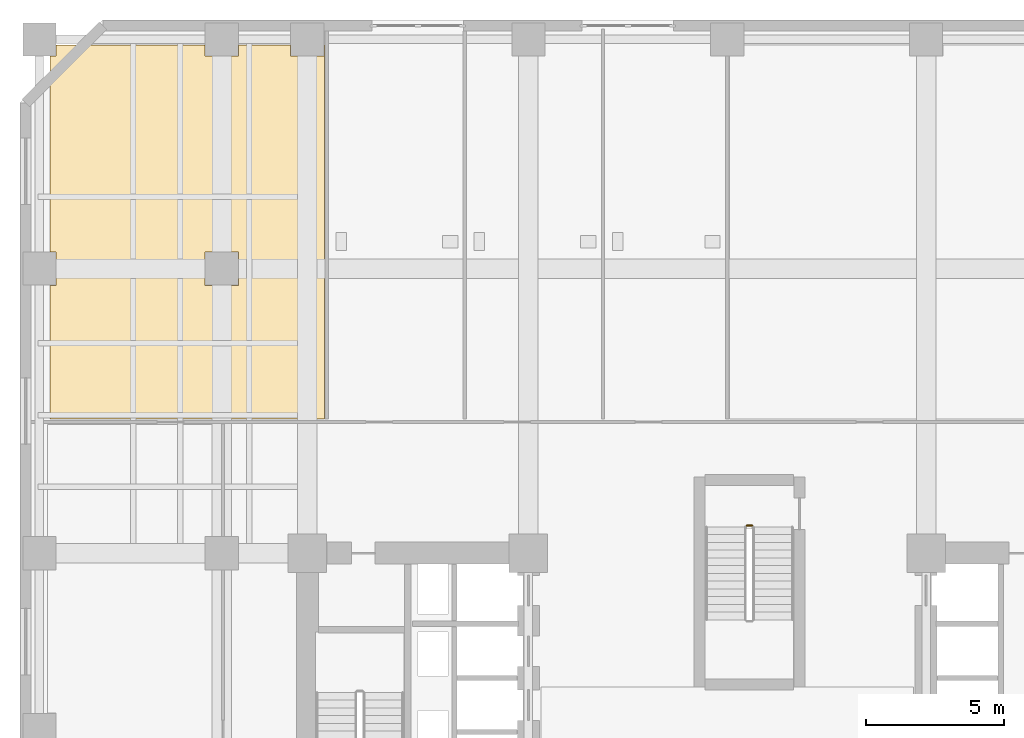
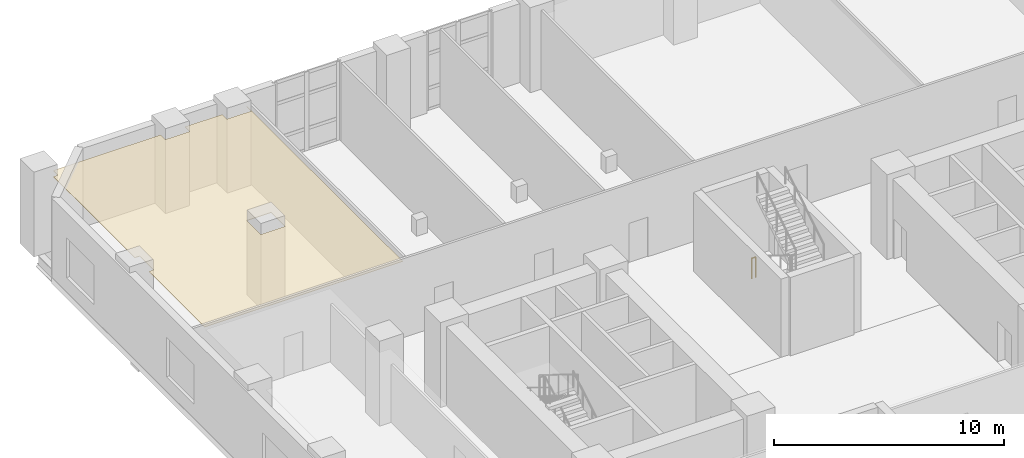
# One storey, part 13 of 15: 1 covering, 1 railing.
"""IFC4 building model written with IfcOpenShell, lengths in metres."""

import ifcopenshell
import ifcopenshell.guid

model = None  # the IFC model being written
_history = None  # IfcOwnerHistory: only IFC2X3 demands one
_inside = {}  # id of a spatial element -> (the spatial element, [elements in it])
_under = {}  # id of a project, library or spatial element -> (it, [spatial elements below it])
_declared = {}  # id of a project -> (the project, [libraries it declares])
_typed = {}  # id of a type object -> (the type object, [elements of that type])
_made_of = {}  # id of a material, layer set ... -> (it, [elements and type objects made of it])


def new_model(schema):
    """Start an empty IFC model of exactly this schema.

    Asked for "IFC4X3", IfcOpenShell would pick the latest addendum, in which some entities
    have other attributes; the version numbers below select the first issue.
    IFC2X3 requires an IfcOwnerHistory on every rooted entity: one is made here for all.
    """
    global model, _history
    if schema == "IFC4X3":
        model = ifcopenshell.file(schema_version=(4, 3, 0, 0))
    else:
        model = ifcopenshell.file(schema=schema)
    _inside.clear()
    _under.clear()
    _declared.clear()
    _typed.clear()
    _made_of.clear()
    _history = None
    if model.schema == "IFC2X3":
        org = make("IfcOrganization", Name="unknown")
        user = make(
            "IfcPersonAndOrganization",
            ThePerson=make("IfcPerson", FamilyName="unknown"),
            TheOrganization=org,
        )
        app = make(
            "IfcApplication",
            ApplicationDeveloper=org,
            Version="unknown",
            ApplicationFullName="unknown",
            ApplicationIdentifier="unknown",
        )
        _history = make(
            "IfcOwnerHistory",
            OwningUser=user,
            OwningApplication=app,
            ChangeAction="ADDED",
            CreationDate=0,
        )
    return model


def make(cls, **values):
    """One entity of the class cls with the attributes given. An attribute that is None is left unset."""
    return model.create_entity(
        cls, **{name: value for name, value in values.items() if value is not None}
    )


def rooted(cls, **values):
    """An entity with a GlobalId (a new one), such as an element, a storey or a relation."""
    return make(cls, GlobalId=ifcopenshell.guid.new(), OwnerHistory=_history, **values)


def si_unit(unit_type, name, prefix=None):
    """IfcSIUnit, for example si_unit("LENGTHUNIT", "METRE", prefix="MILLI")."""
    return make("IfcSIUnit", UnitType=unit_type, Prefix=prefix, Name=name)


def assignment(units):
    """IfcUnitAssignment: the units of a project."""
    return None if units is None else make("IfcUnitAssignment", Units=units)


def point(xyz):
    """IfcCartesianPoint."""
    return None if xyz is None else make("IfcCartesianPoint", Coordinates=xyz)


def direction(xyz):
    """IfcDirection."""
    return None if xyz is None else make("IfcDirection", DirectionRatios=xyz)


def frame(location, z_axis=None, x_axis=None):
    """IfcAxis2Placement3D, a coordinate frame: its origin and axes. An axis left out is left unset."""
    return make(
        "IfcAxis2Placement3D",
        Location=point(location),
        Axis=direction(z_axis),
        RefDirection=direction(x_axis),
    )


def frame_2d(location, x_axis=None):
    """IfcAxis2Placement2D, a coordinate frame in the plane: its origin and x axis."""
    return make(
        "IfcAxis2Placement2D", Location=point(location), RefDirection=direction(x_axis)
    )


def origin():
    """The frame at (0, 0, 0) with its axes left unset."""
    return frame((0.0, 0.0, 0.0))


def origin_2d():
    """The frame at (0, 0) in the plane with its x axis left unset."""
    return frame_2d((0.0, 0.0))


def place(relative_to, where):
    """IfcLocalPlacement: puts the frame where relative to a parent placement (None: the world)."""
    return make(
        "IfcLocalPlacement", PlacementRelTo=relative_to, RelativePlacement=where
    )


def context(
    kind, dimensions, precision=None, world=None, true_north=None, identifier=None
):
    """IfcGeometricRepresentationContext, for example the 3D "Model" context."""
    return make(
        "IfcGeometricRepresentationContext",
        ContextIdentifier=identifier,
        ContextType=kind,
        CoordinateSpaceDimension=dimensions,
        Precision=precision,
        WorldCoordinateSystem=world,
        TrueNorth=true_north,
    )


def subcontext(parent, identifier, kind, view, scale=None):
    """IfcGeometricRepresentationSubContext, for example "Body" below "Model"."""
    return make(
        "IfcGeometricRepresentationSubContext",
        ContextIdentifier=identifier,
        ContextType=kind,
        ParentContext=parent,
        TargetScale=scale,
        TargetView=view,
    )


def project(units=None, contexts=None):
    """IfcProject with its units and contexts."""
    return rooted(
        "IfcProject",
        Name="project",
        RepresentationContexts=contexts,
        UnitsInContext=assignment(units),
    )


def spatial(cls, under=None, at=None, **own):
    """A site, building, storey or space (cls), placed at a placement, below another one or the project."""
    s = rooted(cls, ObjectPlacement=at, **own)
    if under is not None:
        _under.setdefault(under.id(), (under, []))[1].append(s)
    return s


def polyline(points):
    """IfcPolyline through the points."""
    return make("IfcPolyline", Points=[point(p) for p in points])


def profile(cls, at=None, kind="AREA", **sizes):
    """A parametric profile (cls). Its sizes go by their IFC names, for example OverallWidth=200.0."""
    return make(cls, ProfileType=kind, Position=at, **sizes)


def circle(**sizes):
    """IfcCircleProfileDef."""
    return profile("IfcCircleProfileDef", **sizes)


def outline(outer, holes=None, kind="AREA"):
    """IfcArbitraryClosedProfileDef: a profile drawn as a closed curve; with holes, ...WithVoids."""
    if holes is None:
        return make("IfcArbitraryClosedProfileDef", ProfileType=kind, OuterCurve=outer)
    return make(
        "IfcArbitraryProfileDefWithVoids",
        ProfileType=kind,
        OuterCurve=outer,
        InnerCurves=holes,
    )


def extrude(swept, where, along, depth):
    """IfcExtrudedAreaSolid: the profile swept, set in the frame where, extruded along a direction by depth."""
    return make(
        "IfcExtrudedAreaSolid",
        SweptArea=swept,
        Position=where,
        ExtrudedDirection=direction(along),
        Depth=depth,
    )


def shape(context_of_items, identifier, shape_type, items):
    """IfcShapeRepresentation: the items that make up one representation, for example the "Body"."""
    return make(
        "IfcShapeRepresentation",
        ContextOfItems=context_of_items,
        RepresentationIdentifier=identifier,
        RepresentationType=shape_type,
        Items=items,
    )


def material(Name=None, Category=None):
    """IfcMaterial."""
    return make("IfcMaterial", Name=Name, Category=Category)


def layer(
    of_material, thickness, ventilated=None, Name=None, Category=None, Priority=None
):
    """IfcMaterialLayer: one layer of a wall or slab, of a material (None: an air gap)."""
    return make(
        "IfcMaterialLayer",
        Material=of_material,
        LayerThickness=thickness,
        IsVentilated=ventilated,
        Name=Name,
        Category=Category,
        Priority=Priority,
    )


def layer_set(layers, Name=None):
    """IfcMaterialLayerSet."""
    return make("IfcMaterialLayerSet", MaterialLayers=layers, LayerSetName=Name)


def made_of(thing, what):
    """Note that an element or type object is made of a material, layer set ...; save() writes the relation."""
    if what is not None:
        _made_of.setdefault(what.id(), (what, []))[1].append(thing)
    return thing


def type_object(cls, material=None, **own):
    """A type object (cls), such as IfcWallType, which elements share."""
    return made_of(rooted(cls, **own), material)


def element(
    cls,
    number,
    at=None,
    inside=None,
    cuts=None,
    type_object=None,
    material=None,
    context=None,
    identifier="Body",
    shape_type=None,
    held_by="IfcProductDefinitionShape",
    body=None,
    shapes=None,
    **own,
):
    """One element of the class cls, such as IfcWall. Its Tag is "e" and its number.

    at: its placement. inside: the storey or other place that contains it. cuts: it is an
    opening in that element (IfcRelVoidsElement). A single representation is given by context,
    identifier, shape_type and body (its items); several are given by shapes. held_by: the class
    of the entity that holds the representations. save() writes the other relations.
    """
    e = rooted(cls, Tag="e%d" % number, ObjectPlacement=at, **own)
    if body is not None:
        shapes = [shape(context, identifier, shape_type, body)]
    if shapes is not None:
        e.Representation = make(held_by, Representations=shapes)
    if inside is not None:
        _inside.setdefault(inside.id(), (inside, []))[1].append(e)
    if cuts is not None:
        rooted(
            "IfcRelVoidsElement", RelatingBuildingElement=cuts, RelatedOpeningElement=e
        )
    if type_object is not None:
        _typed.setdefault(type_object.id(), (type_object, []))[1].append(e)
    return made_of(e, material)


def aggregate(whole, parts):
    """IfcRelAggregates: a whole, such as a stair, and the parts it consists of."""
    return rooted("IfcRelAggregates", RelatingObject=whole, RelatedObjects=parts)


def save(model, path):
    """Write the relations noted so far, then the file.

    IfcRelAggregates (storeys below a building ...), IfcRelContainedInSpatialStructure (elements
    in a storey), IfcRelDefinesByType, IfcRelAssociatesMaterial and IfcRelDeclares: one each for
    every whole, place, type object, material and project.
    """
    for whole, parts in _under.values():
        aggregate(whole, parts)
    for where, things in _inside.values():
        rooted(
            "IfcRelContainedInSpatialStructure",
            RelatedElements=things,
            RelatingStructure=where,
        )
    for kind, things in _typed.values():
        rooted("IfcRelDefinesByType", RelatedObjects=things, RelatingType=kind)
    for what, things in _made_of.values():
        rooted("IfcRelAssociatesMaterial", RelatedObjects=things, RelatingMaterial=what)
    for by, libraries in _declared.values():
        rooted("IfcRelDeclares", RelatingContext=by, RelatedDefinitions=libraries)
    model.write(path)


model = new_model("IFC4")

# Units and contexts
model_context = context("Model", 3, precision=1e-05, world=origin(), true_north=direction((0.0, 1.0)))
body_context = subcontext(model_context, "Body", "Model", "MODEL_VIEW")
ifc_project = project(units=[si_unit("LENGTHUNIT", "METRE"), si_unit("AREAUNIT", "SQUARE_METRE"), si_unit("VOLUMEUNIT", "CUBIC_METRE"), si_unit("PLANEANGLEUNIT", "RADIAN"), si_unit("MASSUNIT", "GRAM", prefix="KILO")], contexts=[model_context])

# Site, building, storey
site_placement = place(None, origin())
site = spatial("IfcSite", under=ifc_project, at=site_placement, CompositionType="ELEMENT")
building_placement = place(site_placement, origin())
building = spatial("IfcBuilding", under=site, at=building_placement, Name="Kranthara Brick Stack", CompositionType="ELEMENT")
storey_placement = place(building_placement, frame((0.0, 0.0, 9.89990234375)))
storey = spatial("IfcBuildingStorey", under=building, at=storey_placement, Name="L02", CompositionType="ELEMENT", Elevation=9.89990234375)

# Covering
ifc_material_1 = material(Name="Perforated mineral-fibre acoustic ceiling tile", Category="other")
ifc_layer = layer(ifc_material_1, 0.02490234375)
ifc_layer_set = layer_set([ifc_layer], Name="Perforated mineral-fibre acoustic ceiling tile")
covering_type = type_object("IfcCoveringType", Name="COV-CEIL-ACOUSTIC", PredefinedType="CEILING", material=ifc_layer_set)
covering_placement = place(storey_placement, frame((0.0, 0.0, 3.91015625)))
element("IfcCovering", 1, at=covering_placement, inside=storey, type_object=covering_type, Name="L02 Enterprise Office Suite Acoustic Ceiling", PredefinedType="CEILING", context=body_context, shape_type="SweptSolid", body=[
    extrude(outline(polyline([(3.7099609375, 43.2900390625), (3.7099609375, 44.510009765625), (3.47998046875, 44.510009765625), (3.47998046875, 51.590087890625), (3.7099609375, 51.590087890625), (3.7099609375, 52.0), (9.090087890625, 52.0), (9.090087890625, 51.590087890625), (10.31005859375, 51.590087890625), (10.31005859375, 52.0), (12.18994140625, 52.0), (12.18994140625, 51.590087890625), (13.409912109375, 51.590087890625), (13.409912109375, 52.0), (13.419921875, 52.0), (13.419921875, 38.449951171875), (3.47998046875, 38.449951171875), (3.47998046875, 43.2900390625), (3.7099609375, 43.2900390625)]), holes=[polyline([(10.31005859375, 44.510009765625), (9.090087890625, 44.510009765625), (9.090087890625, 43.2900390625), (10.31005859375, 43.2900390625), (10.31005859375, 44.510009765625)])]), origin(), (0.0, 0.0, 1.0), 0.02490234375),
])

# Railing
ifc_material_2 = material(Name="Painted galvanized steel stair guardrail", Category="steel")
railing_type = type_object("IfcRailingType", Name="RL-STAIR-GUARD-1100", PredefinedType="GUARDRAIL", material=ifc_material_2)
railing_placement = place(storey_placement, frame((28.699951171875, 34.60009765625, 0.0)))
element("IfcRailing", 2, at=railing_placement, inside=storey, type_object=railing_type, Name="L02 ST04 stair guard 4", PredefinedType="GUARDRAIL", context=body_context, shape_type="SweptSolid", body=[
    extrude(circle(Radius=0.02392578125, at=origin_2d()), frame((0.0, 0.0, 1.076171875), z_axis=(1.0, 0.0, 0.0), x_axis=(0.0, 1.0, 0.0)), (0.0, 0.0, 1.0), 0.199951171875),
    extrude(circle(Radius=0.02099609375, at=origin_2d()), origin(), (0.0, 0.0, 1.0), 1.052001953125),
    extrude(circle(Radius=0.02099609375, at=origin_2d()), frame((0.199951171875, 0.0, 0.0)), (0.0, 0.0, 1.0), 1.052001953125),
])

save(model, "model.ifc")
